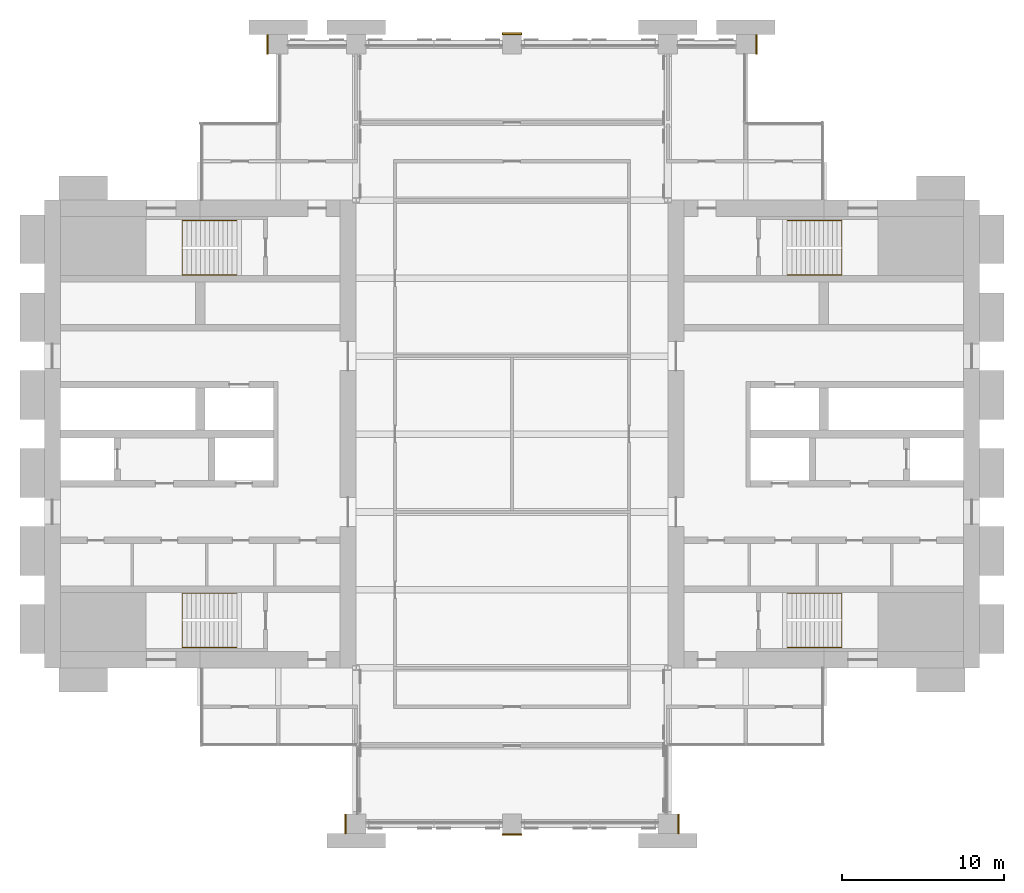
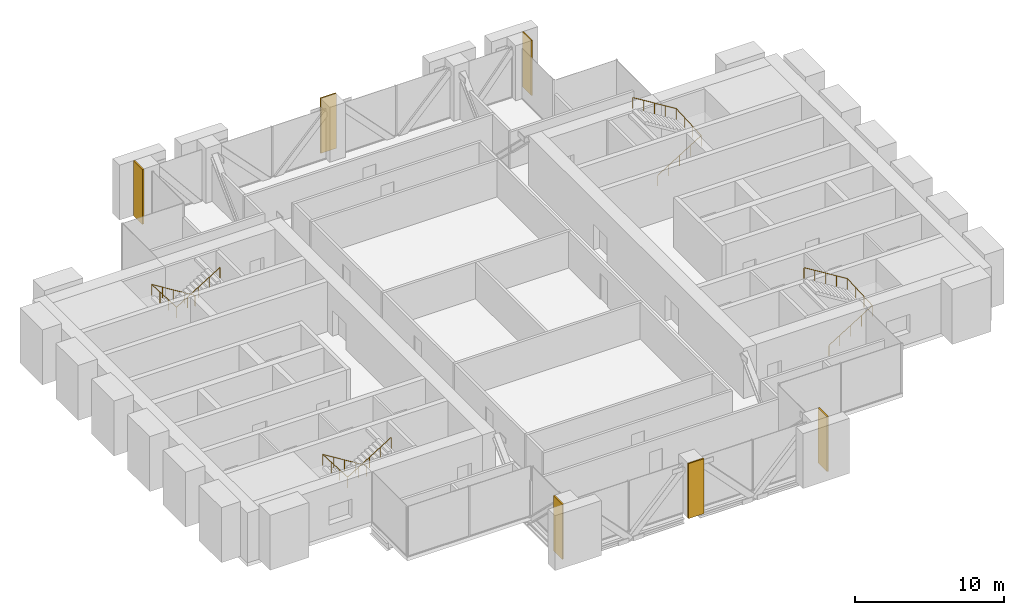
# One storey, part 14 of 14: 6 coverings, 4 railings.
"""IFC4 building model written with IfcOpenShell, lengths in metres."""

from ifc_helpers import new_model, si_unit, direction, frame, origin, origin_2d, place, context, subcontext, project, spatial, rectangle, circle, extrude, material, layer, layer_set, type_object, element, save


model = new_model("IFC4")

# Units and contexts
model_context = context("Model", 3, precision=1e-05, world=origin(), true_north=direction((0.0, 1.0)))
body_context = subcontext(model_context, "Body", "Model", "MODEL_VIEW")
ifc_project = project(units=[si_unit("LENGTHUNIT", "METRE"), si_unit("AREAUNIT", "SQUARE_METRE"), si_unit("VOLUMEUNIT", "CUBIC_METRE"), si_unit("PLANEANGLEUNIT", "RADIAN"), si_unit("MASSUNIT", "GRAM", prefix="KILO")], contexts=[model_context])

# Site, building, storey
site_placement = place(None, origin())
site = spatial("IfcSite", under=ifc_project, at=site_placement, CompositionType="ELEMENT")
building_placement = place(site_placement, origin())
building = spatial("IfcBuilding", under=site, at=building_placement, Name="Baori Bourse Tower", CompositionType="ELEMENT")
storey_placement = place(building_placement, frame((0.0, 0.0, 176.10009765625)))
storey = spatial("IfcBuildingStorey", under=building, at=storey_placement, Name="L39", CompositionType="ELEMENT", Elevation=176.10009765625)

# Railings
ifc_material_1 = material(Name="Powder-coated steel balustrade", Category="steel")
railing_type = type_object("IfcRailingType", Name="Core stair handrail", PredefinedType="HANDRAIL", material=ifc_material_1)
railing_1_placement = place(storey_placement, frame((11.85009765625, 14.199951171875, 0.173095703125)))
element("IfcRailing", 1, at=railing_1_placement, inside=storey, type_object=railing_type, Name="L39 ST1 stair handrail 1", PredefinedType="HANDRAIL", context=body_context, shape_type="SweptSolid", body=[
    extrude(circle(Radius=0.02392578125, at=origin_2d()), frame((0.0, 0.0, 0.8759765625), z_axis=(-0.850623216509, 0.0, 0.525775754039), x_axis=(0.0, -1.0, 0.0)), (0.0, 0.0, 1.0), 3.9501953125),
    extrude(circle(Radius=0.02392578125, at=origin_2d()), frame((-3.360107421875, 0.0, 2.95263671875), z_axis=(0.0, -0.998667637765, 0.051603771968), x_axis=(1.0, 0.0, 0.0)), (0.0, 0.0, 1.0), 3.354248046875),
    extrude(circle(Radius=0.02392578125, at=origin_2d()), frame((-3.360107421875, -3.349853515625, 3.1259765625), z_axis=(0.850623216509, 0.0, 0.525775754039), x_axis=(0.0, 1.0, 0.0)), (0.0, 0.0, 1.0), 3.9501953125),
    extrude(circle(Radius=0.02099609375, at=origin_2d()), origin(), (0.0, 0.0, 1.0), 0.851806640625),
    extrude(circle(Radius=0.02099609375, at=origin_2d()), frame((-0.840087890625, 0.0, 0.519287109375)), (0.0, 0.0, 1.0), 0.851806640625),
    extrude(circle(Radius=0.02099609375, at=origin_2d()), frame((-1.68017578125, 0.0, 1.03857421875)), (0.0, 0.0, 1.0), 0.851806640625),
    extrude(circle(Radius=0.02099609375, at=origin_2d()), frame((-2.52001953125, 0.0, 1.5576171875)), (0.0, 0.0, 1.0), 0.851806640625),
    extrude(circle(Radius=0.02099609375, at=origin_2d()), frame((-3.360107421875, 0.0, 2.076904296875)), (0.0, 0.0, 1.0), 0.851806640625),
    extrude(circle(Radius=0.02099609375, at=origin_2d()), frame((-3.360107421875, -1.11669921875, 2.134521484375)), (0.0, 0.0, 1.0), 0.851806640625),
    extrude(circle(Radius=0.02099609375, at=origin_2d()), frame((-3.360107421875, -2.233154296875, 2.1923828125)), (0.0, 0.0, 1.0), 0.851806640625),
    extrude(circle(Radius=0.02099609375, at=origin_2d()), frame((-3.360107421875, -3.349853515625, 2.25)), (0.0, 0.0, 1.0), 0.851806640625),
    extrude(circle(Radius=0.02099609375, at=origin_2d()), frame((-2.52001953125, -3.349853515625, 2.769287109375)), (0.0, 0.0, 1.0), 0.851806640625),
    extrude(circle(Radius=0.02099609375, at=origin_2d()), frame((-1.68017578125, -3.349853515625, 3.28857421875)), (0.0, 0.0, 1.0), 0.851806640625),
    extrude(circle(Radius=0.02099609375, at=origin_2d()), frame((-0.840087890625, -3.349853515625, 3.8076171875)), (0.0, 0.0, 1.0), 0.851806640625),
    extrude(circle(Radius=0.02099609375, at=origin_2d()), frame((0.0, -3.349853515625, 4.326904296875)), (0.0, 0.0, 1.0), 0.851806640625),
])
railing_2_placement = place(storey_placement, frame((11.85009765625, 37.14990234375, 0.173095703125)))
element("IfcRailing", 2, at=railing_2_placement, inside=storey, type_object=railing_type, Name="L39 ST2 stair handrail 1", PredefinedType="HANDRAIL", context=body_context, shape_type="SweptSolid", body=[
    extrude(circle(Radius=0.02392578125, at=origin_2d()), frame((0.0, 0.0, 0.8759765625), z_axis=(-0.850623216509, 0.0, 0.525775754039), x_axis=(0.0, -1.0, 0.0)), (0.0, 0.0, 1.0), 3.9501953125),
    extrude(circle(Radius=0.02392578125, at=origin_2d()), frame((-3.360107421875, 0.0, 2.95263671875), z_axis=(0.0, -0.998667637765, 0.051603771968), x_axis=(1.0, 0.0, 0.0)), (0.0, 0.0, 1.0), 3.354248046875),
    extrude(circle(Radius=0.02392578125, at=origin_2d()), frame((-3.360107421875, -3.349853515625, 3.1259765625), z_axis=(0.850623216509, 0.0, 0.525775754039), x_axis=(0.0, 1.0, 0.0)), (0.0, 0.0, 1.0), 3.9501953125),
    extrude(circle(Radius=0.02099609375, at=origin_2d()), origin(), (0.0, 0.0, 1.0), 0.851806640625),
    extrude(circle(Radius=0.02099609375, at=origin_2d()), frame((-0.840087890625, 0.0, 0.519287109375)), (0.0, 0.0, 1.0), 0.851806640625),
    extrude(circle(Radius=0.02099609375, at=origin_2d()), frame((-1.68017578125, 0.0, 1.03857421875)), (0.0, 0.0, 1.0), 0.851806640625),
    extrude(circle(Radius=0.02099609375, at=origin_2d()), frame((-2.52001953125, 0.0, 1.5576171875)), (0.0, 0.0, 1.0), 0.851806640625),
    extrude(circle(Radius=0.02099609375, at=origin_2d()), frame((-3.360107421875, 0.0, 2.076904296875)), (0.0, 0.0, 1.0), 0.851806640625),
    extrude(circle(Radius=0.02099609375, at=origin_2d()), frame((-3.360107421875, -1.11669921875, 2.134521484375)), (0.0, 0.0, 1.0), 0.851806640625),
    extrude(circle(Radius=0.02099609375, at=origin_2d()), frame((-3.360107421875, -2.233154296875, 2.1923828125)), (0.0, 0.0, 1.0), 0.851806640625),
    extrude(circle(Radius=0.02099609375, at=origin_2d()), frame((-3.360107421875, -3.349853515625, 2.25)), (0.0, 0.0, 1.0), 0.851806640625),
    extrude(circle(Radius=0.02099609375, at=origin_2d()), frame((-2.52001953125, -3.349853515625, 2.769287109375)), (0.0, 0.0, 1.0), 0.851806640625),
    extrude(circle(Radius=0.02099609375, at=origin_2d()), frame((-1.68017578125, -3.349853515625, 3.28857421875)), (0.0, 0.0, 1.0), 0.851806640625),
    extrude(circle(Radius=0.02099609375, at=origin_2d()), frame((-0.840087890625, -3.349853515625, 3.8076171875)), (0.0, 0.0, 1.0), 0.851806640625),
    extrude(circle(Radius=0.02099609375, at=origin_2d()), frame((0.0, -3.349853515625, 4.326904296875)), (0.0, 0.0, 1.0), 0.851806640625),
])
railing_3_placement = place(storey_placement, frame((45.75, 10.85009765625, 0.173095703125)))
element("IfcRailing", 3, at=railing_3_placement, inside=storey, type_object=railing_type, Name="L39 ST3 stair handrail 1", PredefinedType="HANDRAIL", context=body_context, shape_type="SweptSolid", body=[
    extrude(circle(Radius=0.02392578125, at=origin_2d()), frame((0.0, 0.0, 0.8759765625), z_axis=(0.850623216509, 0.0, 0.525775754039), x_axis=(0.0, 1.0, 0.0)), (0.0, 0.0, 1.0), 3.9501953125),
    extrude(circle(Radius=0.02392578125, at=origin_2d()), frame((3.360107421875, 0.0, 2.95263671875), z_axis=(0.0, 0.998667637765, 0.051603771968), x_axis=(-1.0, 0.0, 0.0)), (0.0, 0.0, 1.0), 3.354248046875),
    extrude(circle(Radius=0.02392578125, at=origin_2d()), frame((3.360107421875, 3.349853515625, 3.1259765625), z_axis=(-0.850623216509, 0.0, 0.525775754039), x_axis=(0.0, -1.0, 0.0)), (0.0, 0.0, 1.0), 3.9501953125),
    extrude(circle(Radius=0.02099609375, at=origin_2d()), origin(), (0.0, 0.0, 1.0), 0.851806640625),
    extrude(circle(Radius=0.02099609375, at=origin_2d()), frame((0.840087890625, 0.0, 0.519287109375)), (0.0, 0.0, 1.0), 0.851806640625),
    extrude(circle(Radius=0.02099609375, at=origin_2d()), frame((1.68017578125, 0.0, 1.03857421875)), (0.0, 0.0, 1.0), 0.851806640625),
    extrude(circle(Radius=0.02099609375, at=origin_2d()), frame((2.52001953125, 0.0, 1.5576171875)), (0.0, 0.0, 1.0), 0.851806640625),
    extrude(circle(Radius=0.02099609375, at=origin_2d()), frame((3.360107421875, 0.0, 2.076904296875)), (0.0, 0.0, 1.0), 0.851806640625),
    extrude(circle(Radius=0.02099609375, at=origin_2d()), frame((3.360107421875, 1.11669921875, 2.134521484375)), (0.0, 0.0, 1.0), 0.851806640625),
    extrude(circle(Radius=0.02099609375, at=origin_2d()), frame((3.360107421875, 2.233154296875, 2.1923828125)), (0.0, 0.0, 1.0), 0.851806640625),
    extrude(circle(Radius=0.02099609375, at=origin_2d()), frame((3.360107421875, 3.349853515625, 2.25)), (0.0, 0.0, 1.0), 0.851806640625),
    extrude(circle(Radius=0.02099609375, at=origin_2d()), frame((2.52001953125, 3.349853515625, 2.769287109375)), (0.0, 0.0, 1.0), 0.851806640625),
    extrude(circle(Radius=0.02099609375, at=origin_2d()), frame((1.68017578125, 3.349853515625, 3.28857421875)), (0.0, 0.0, 1.0), 0.851806640625),
    extrude(circle(Radius=0.02099609375, at=origin_2d()), frame((0.840087890625, 3.349853515625, 3.8076171875)), (0.0, 0.0, 1.0), 0.851806640625),
    extrude(circle(Radius=0.02099609375, at=origin_2d()), frame((0.0, 3.349853515625, 4.326904296875)), (0.0, 0.0, 1.0), 0.851806640625),
])
railing_4_placement = place(storey_placement, frame((45.75, 33.800048828125, 0.173095703125)))
element("IfcRailing", 4, at=railing_4_placement, inside=storey, type_object=railing_type, Name="L39 ST4 stair handrail 1", PredefinedType="HANDRAIL", context=body_context, shape_type="SweptSolid", body=[
    extrude(circle(Radius=0.02392578125, at=origin_2d()), frame((0.0, 0.0, 0.8759765625), z_axis=(0.850623216509, 0.0, 0.525775754039), x_axis=(0.0, 1.0, 0.0)), (0.0, 0.0, 1.0), 3.9501953125),
    extrude(circle(Radius=0.02392578125, at=origin_2d()), frame((3.360107421875, 0.0, 2.95263671875), z_axis=(0.0, 0.998667637765, 0.051603771968), x_axis=(-1.0, 0.0, 0.0)), (0.0, 0.0, 1.0), 3.354248046875),
    extrude(circle(Radius=0.02392578125, at=origin_2d()), frame((3.360107421875, 3.349853515625, 3.1259765625), z_axis=(-0.850623216509, 0.0, 0.525775754039), x_axis=(0.0, -1.0, 0.0)), (0.0, 0.0, 1.0), 3.9501953125),
    extrude(circle(Radius=0.02099609375, at=origin_2d()), origin(), (0.0, 0.0, 1.0), 0.851806640625),
    extrude(circle(Radius=0.02099609375, at=origin_2d()), frame((0.840087890625, 0.0, 0.519287109375)), (0.0, 0.0, 1.0), 0.851806640625),
    extrude(circle(Radius=0.02099609375, at=origin_2d()), frame((1.68017578125, 0.0, 1.03857421875)), (0.0, 0.0, 1.0), 0.851806640625),
    extrude(circle(Radius=0.02099609375, at=origin_2d()), frame((2.52001953125, 0.0, 1.5576171875)), (0.0, 0.0, 1.0), 0.851806640625),
    extrude(circle(Radius=0.02099609375, at=origin_2d()), frame((3.360107421875, 0.0, 2.076904296875)), (0.0, 0.0, 1.0), 0.851806640625),
    extrude(circle(Radius=0.02099609375, at=origin_2d()), frame((3.360107421875, 1.11669921875, 2.134521484375)), (0.0, 0.0, 1.0), 0.851806640625),
    extrude(circle(Radius=0.02099609375, at=origin_2d()), frame((3.360107421875, 2.233154296875, 2.1923828125)), (0.0, 0.0, 1.0), 0.851806640625),
    extrude(circle(Radius=0.02099609375, at=origin_2d()), frame((3.360107421875, 3.349853515625, 2.25)), (0.0, 0.0, 1.0), 0.851806640625),
    extrude(circle(Radius=0.02099609375, at=origin_2d()), frame((2.52001953125, 3.349853515625, 2.769287109375)), (0.0, 0.0, 1.0), 0.851806640625),
    extrude(circle(Radius=0.02099609375, at=origin_2d()), frame((1.68017578125, 3.349853515625, 3.28857421875)), (0.0, 0.0, 1.0), 0.851806640625),
    extrude(circle(Radius=0.02099609375, at=origin_2d()), frame((0.840087890625, 3.349853515625, 3.8076171875)), (0.0, 0.0, 1.0), 0.851806640625),
    extrude(circle(Radius=0.02099609375, at=origin_2d()), frame((0.0, 3.349853515625, 4.326904296875)), (0.0, 0.0, 1.0), 0.851806640625),
])

# Coverings
ifc_material_2 = material(Name="Face brick", Category="masonry")
ifc_layer = layer(ifc_material_2, 0.110107421875)
ifc_layer_set = layer_set([ifc_layer], Name="PC1 Brick pier facing")
covering_type = type_object("IfcCoveringType", Name="PC1 Brick pier facing", PredefinedType="CLADDING", material=ifc_layer_set)
covering_1_placement = place(storey_placement, frame((18.544921875, 0.0, 0.0), z_axis=(0.0, 0.0, 1.0), x_axis=(1.0, 0.0, 0.0)))
element("IfcCovering", 5, at=covering_1_placement, inside=storey, type_object=covering_type, Name="Brick pier facing L39 1", PredefinedType="CLADDING", context=body_context, shape_type="SweptSolid", body=[
    extrude(rectangle(XDim=0.110107421875, YDim=1.199951171875, at=origin_2d()), origin(), (0.0, 0.0, 1.0), 4.5),
])
covering_2_placement = place(storey_placement, frame((28.800048828125, -0.655029296875, 0.0), z_axis=(0.0, 0.0, 1.0), x_axis=(1.0, 0.0, 0.0)))
element("IfcCovering", 6, at=covering_2_placement, inside=storey, type_object=covering_type, Name="Brick pier facing L39 2", PredefinedType="CLADDING", context=body_context, shape_type="SweptSolid", body=[
    extrude(rectangle(XDim=1.199951171875, YDim=0.110107421875, at=origin_2d()), origin(), (0.0, 0.0, 1.0), 4.5),
])
for number, where, z_axis, x_axis, name in (
    (7, (39.054931640625, 0.0, 0.0), (0.0, 0.0, 1.0), (1.0, 0.0, 0.0), "Brick pier facing L39 3"),
    (8, (13.7451171875, 48.0, 0.0), (0.0, 0.0, 1.0), (1.0, 0.0, 0.0), "Brick pier facing L39 4"),
):
    element("IfcCovering", number, at=place(storey_placement, frame(where, z_axis=z_axis, x_axis=x_axis)), inside=storey, type_object=covering_type, Name=name, PredefinedType="CLADDING", context=body_context, shape_type="SweptSolid", body=[
        extrude(rectangle(XDim=0.110107421875, YDim=1.199951171875, at=origin_2d()), origin(), (0.0, 0.0, 1.0), 4.5),
    ])
covering_3_placement = place(storey_placement, frame((28.800048828125, 48.655029296875, 0.0), z_axis=(0.0, 0.0, 1.0), x_axis=(1.0, 0.0, 0.0)))
element("IfcCovering", 9, at=covering_3_placement, inside=storey, type_object=covering_type, Name="Brick pier facing L39 5", PredefinedType="CLADDING", context=body_context, shape_type="SweptSolid", body=[
    extrude(rectangle(XDim=1.199951171875, YDim=0.110107421875, at=origin_2d()), origin(), (0.0, 0.0, 1.0), 4.5),
])
covering_4_placement = place(storey_placement, frame((43.85498046875, 48.0, 0.0), z_axis=(0.0, 0.0, 1.0), x_axis=(1.0, 0.0, 0.0)))
element("IfcCovering", 10, at=covering_4_placement, inside=storey, type_object=covering_type, Name="Brick pier facing L39 6", PredefinedType="CLADDING", context=body_context, shape_type="SweptSolid", body=[
    extrude(rectangle(XDim=0.110107421875, YDim=1.199951171875, at=origin_2d()), origin(), (0.0, 0.0, 1.0), 4.5),
])

save(model, "model.ifc")
